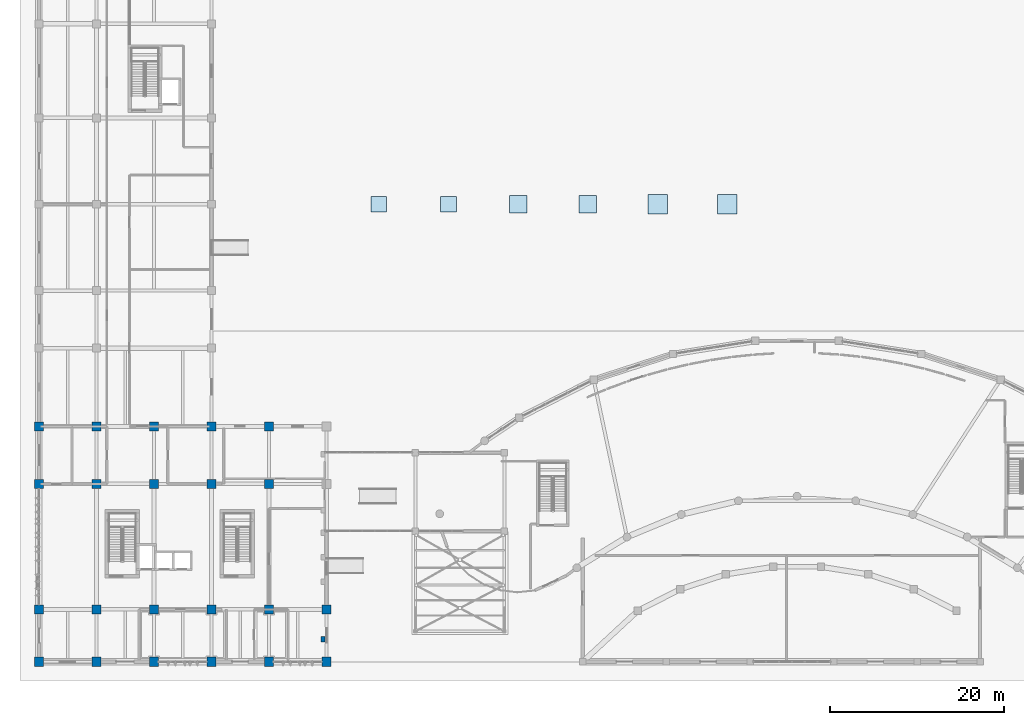
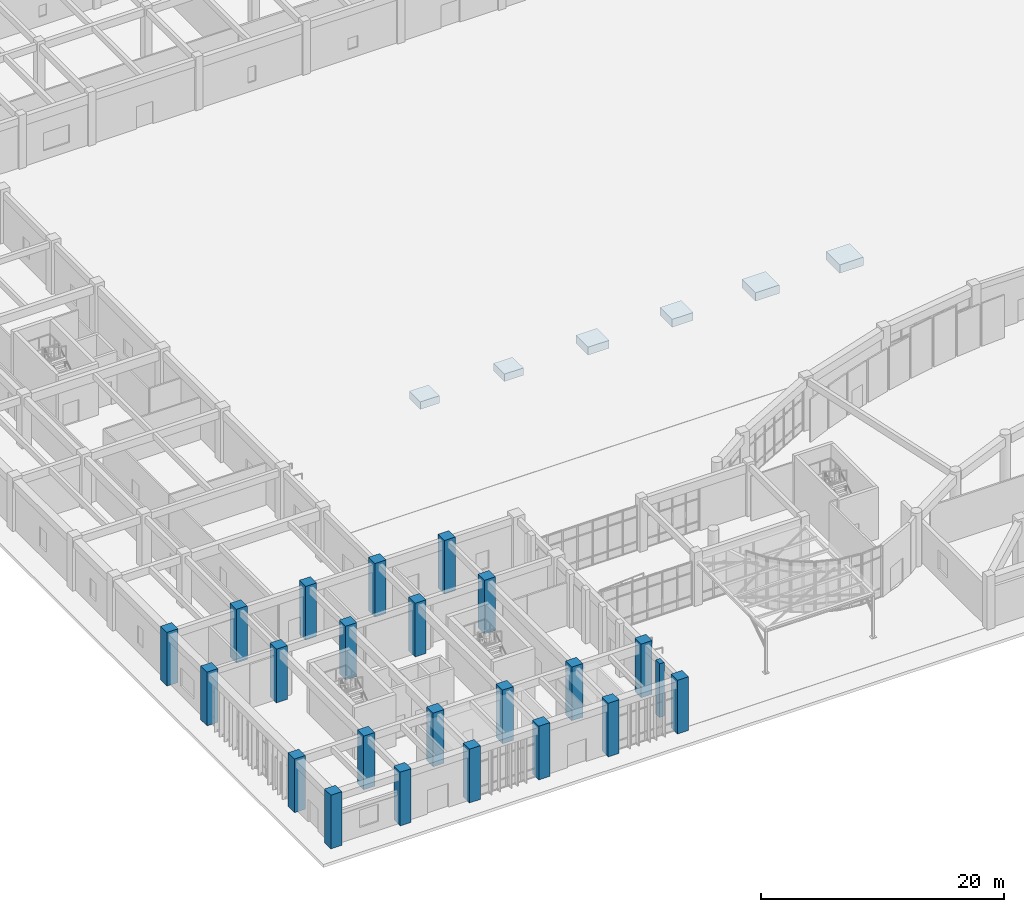
# One storey, part 1 of 70: 23 columns, 6 footings.
"""IFC4 building model written with IfcOpenShell, lengths in metres."""

from ifc_helpers import new_model, si_unit, direction, frame, origin, origin_2d, place, context, subcontext, project, spatial, rectangle, extrude, material, layer, layer_set, material_profile, profile_set, type_object, element, save


model = new_model("IFC4")

# Units and contexts
model_context = context("Model", 3, precision=1e-05, world=origin(), true_north=direction((0.0, 1.0)))
body_context = subcontext(model_context, "Body", "Model", "MODEL_VIEW")
ifc_project = project(units=[si_unit("LENGTHUNIT", "METRE"), si_unit("AREAUNIT", "SQUARE_METRE"), si_unit("VOLUMEUNIT", "CUBIC_METRE"), si_unit("PLANEANGLEUNIT", "RADIAN"), si_unit("MASSUNIT", "GRAM", prefix="KILO")], contexts=[model_context])

# Site, building, storey
site_placement = place(None, origin())
site = spatial("IfcSite", under=ifc_project, at=site_placement, CompositionType="ELEMENT")
building_placement = place(site_placement, origin())
building = spatial("IfcBuilding", under=site, at=building_placement, Name="Miralva Faculty of Natural Sciences", CompositionType="ELEMENT")
storey_placement = place(building_placement, origin())
storey = spatial("IfcBuildingStorey", under=building, at=storey_placement, Name="L00", CompositionType="ELEMENT", Elevation=0.0)

# Footings
ifc_material_1 = material(Name="Concrete C35/45", Category="concrete")
ifc_layer_1 = layer(ifc_material_1, 0.75, Name="PAD-PF01")
ifc_layer_set_1 = layer_set([ifc_layer_1], Name="Concrete C35/45")
footing_type_1 = type_object("IfcFootingType", Name="PAD-PF01", PredefinedType="PAD_FOOTING", material=ifc_layer_set_1)
for number, where, z_axis, x_axis, name in (
    (1, (42.0, 55.5, -0.919921875), (0.0, 0.0, 1.0), (1.0, 0.0, 0.0), "Courtyard pergola pad footing 1"),
    (2, (50.0, 55.5, -0.919921875), (0.0, 0.0, 1.0), (1.0, 0.0, 0.0), "Courtyard pergola pad footing 2"),
):
    element("IfcFooting", number, at=place(storey_placement, frame(where, z_axis=z_axis, x_axis=x_axis)), inside=storey, type_object=footing_type_1, Name=name, PredefinedType="PAD_FOOTING", context=body_context, shape_type="SweptSolid", body=[
        extrude(rectangle(XDim=1.800048828125, YDim=1.800048828125, at=origin_2d()), origin(), (0.0, 0.0, 1.0), 0.75),
    ])
ifc_layer_2 = layer(ifc_material_1, 0.800048828125, Name="PAD-PF02")
ifc_layer_set_2 = layer_set([ifc_layer_2], Name="Concrete C35/45")
footing_type_2 = type_object("IfcFootingType", Name="PAD-PF02", PredefinedType="PAD_FOOTING", material=ifc_layer_set_2)
for number, where, z_axis, x_axis, name in (
    (3, (58.0, 55.5, -0.97021484375), (0.0, 0.0, 1.0), (1.0, 0.0, 0.0), "Courtyard pergola pad footing 3"),
    (4, (66.0, 55.5, -0.97021484375), (0.0, 0.0, 1.0), (1.0, 0.0, 0.0), "Courtyard pergola pad footing 4"),
):
    element("IfcFooting", number, at=place(storey_placement, frame(where, z_axis=z_axis, x_axis=x_axis)), inside=storey, type_object=footing_type_2, Name=name, PredefinedType="PAD_FOOTING", context=body_context, shape_type="SweptSolid", body=[
        extrude(rectangle(XDim=2.0, YDim=2.0, at=origin_2d()), origin(), (0.0, 0.0, 1.0), 0.800048828125),
    ])
ifc_layer_3 = layer(ifc_material_1, 0.85009765625, Name="PAD-PF03")
ifc_layer_set_3 = layer_set([ifc_layer_3], Name="Concrete C35/45")
footing_type_3 = type_object("IfcFootingType", Name="PAD-PF03", PredefinedType="PAD_FOOTING", material=ifc_layer_set_3)
for number, where, z_axis, x_axis, name in (
    (5, (74.0, 55.5, -1.02001953125), (0.0, 0.0, 1.0), (1.0, 0.0, 0.0), "Courtyard pergola pad footing 5"),
    (6, (82.0, 55.5, -1.02001953125), (0.0, 0.0, 1.0), (1.0, 0.0, 0.0), "Courtyard pergola pad footing 6"),
):
    element("IfcFooting", number, at=place(storey_placement, frame(where, z_axis=z_axis, x_axis=x_axis)), inside=storey, type_object=footing_type_3, Name=name, PredefinedType="PAD_FOOTING", context=body_context, shape_type="SweptSolid", body=[
        extrude(rectangle(XDim=2.25, YDim=2.25, at=origin_2d()), origin(), (0.0, 0.0, 1.0), 0.85009765625),
    ])

# Columns
ifc_material_2 = material(Name="Concrete C50/60", Category="concrete")
ifc_material_profile_1 = material_profile(ifc_material_2, rectangle(XDim=1.050048828125, YDim=1.050048828125, at=origin_2d()), Name="RC 1050x1050")
ifc_profile_set_1 = profile_set([ifc_material_profile_1], Name="Concrete C50/60")
column_type_1 = type_object("IfcColumnType", Name="COL-C01", PredefinedType="COLUMN", material=ifc_profile_set_1)
for number, where, z_axis, x_axis, name in (
    (7, (3.0, 3.0, 0.0), (0.0, 0.0, 1.0), (1.0, 0.0, 0.0), "Column CS-V5-1A L00"),
    (8, (3.0, 9.0, 0.0), (0.0, 0.0, 1.0), (1.0, 0.0, 0.0), "Column CS-V5-1B L00"),
    (9, (3.0, 23.39990234375, 0.0), (0.0, 0.0, 1.0), (1.0, 0.0, 0.0), "Column CS-V5-1C L00"),
    (10, (3.0, 30.0, 0.0), (0.0, 0.0, 1.0), (1.0, 0.0, 0.0), "Column CS-V5-1D L00"),
    (11, (9.60009765625, 3.0, 0.0), (0.0, 0.0, 1.0), (1.0, 0.0, 0.0), "Column CS-V5-2A L00"),
    (12, (9.60009765625, 9.0, 0.0), (0.0, 0.0, 1.0), (1.0, 0.0, 0.0), "Column CS-V5-2B L00"),
    (13, (9.60009765625, 23.39990234375, 0.0), (0.0, 0.0, 1.0), (1.0, 0.0, 0.0), "Column CS-V5-2C L00"),
    (14, (9.60009765625, 30.0, 0.0), (0.0, 0.0, 1.0), (1.0, 0.0, 0.0), "Column CS-V5-2D L00"),
    (15, (16.199951171875, 3.0, 0.0), (0.0, 0.0, 1.0), (1.0, 0.0, 0.0), "Column CS-V5-3A L00"),
    (16, (16.199951171875, 9.0, 0.0), (0.0, 0.0, 1.0), (1.0, 0.0, 0.0), "Column CS-V5-3B L00"),
    (17, (16.199951171875, 23.39990234375, 0.0), (0.0, 0.0, 1.0), (1.0, 0.0, 0.0), "Column CS-V5-3C L00"),
    (18, (16.199951171875, 30.0, 0.0), (0.0, 0.0, 1.0), (1.0, 0.0, 0.0), "Column CS-V5-3D L00"),
    (19, (22.800048828125, 3.0, 0.0), (0.0, 0.0, 1.0), (1.0, 0.0, 0.0), "Column CS-V5-4A L00"),
    (20, (22.800048828125, 9.0, 0.0), (0.0, 0.0, 1.0), (1.0, 0.0, 0.0), "Column CS-V5-4B L00"),
    (21, (22.800048828125, 23.39990234375, 0.0), (0.0, 0.0, 1.0), (1.0, 0.0, 0.0), "Column CS-V5-4C L00"),
    (22, (22.800048828125, 30.0, 0.0), (0.0, 0.0, 1.0), (1.0, 0.0, 0.0), "Column CS-V5-4D L00"),
    (23, (29.39990234375, 3.0, 0.0), (0.0, 0.0, 1.0), (1.0, 0.0, 0.0), "Column CS-V5-5A L00"),
    (24, (29.39990234375, 9.0, 0.0), (0.0, 0.0, 1.0), (1.0, 0.0, 0.0), "Column CS-V5-5B L00"),
    (25, (29.39990234375, 23.39990234375, 0.0), (0.0, 0.0, 1.0), (1.0, 0.0, 0.0), "Column CS-V5-5C L00"),
    (26, (29.39990234375, 30.0, 0.0), (0.0, 0.0, 1.0), (1.0, 0.0, 0.0), "Column CS-V5-5D L00"),
    (27, (36.0, 3.0, 0.0), (0.0, 0.0, 1.0), (1.0, 0.0, 0.0), "Column CS-V5-6A L00"),
    (28, (36.0, 9.0, 0.0), (0.0, 0.0, 1.0), (1.0, 0.0, 0.0), "Column CS-V5-6B L00"),
):
    element("IfcColumn", number, at=place(storey_placement, frame(where, z_axis=z_axis, x_axis=x_axis)), inside=storey, type_object=column_type_1, Name=name, PredefinedType="COLUMN", context=body_context, shape_type="SweptSolid", body=[
        extrude(rectangle(XDim=1.050048828125, YDim=1.050048828125, at=origin_2d()), origin(), (0.0, 0.0, 1.0), 5.39990234375),
    ])
ifc_material_3 = material(Name="Concrete C40/50", Category="concrete")
ifc_material_profile_2 = material_profile(ifc_material_3, rectangle(XDim=0.449951171875, YDim=0.64990234375, at=origin_2d()), Name="RC 450x650")
ifc_profile_set_2 = profile_set([ifc_material_profile_2], Name="Concrete C40/50")
column_type_2 = type_object("IfcColumnType", Name="COL-C12", PredefinedType="PILASTER", material=ifc_profile_set_2)
column_placement = place(storey_placement, frame((35.60009765625, 5.60009765625, 0.0), z_axis=(0.0, 0.0, 1.0), x_axis=(1.0, 0.0, 0.0)))
element("IfcColumn", 29, at=column_placement, inside=storey, type_object=column_type_2, Name="Colonnade pilaster 1 L00", PredefinedType="PILASTER", context=body_context, shape_type="SweptSolid", body=[
    extrude(rectangle(XDim=0.449951171875, YDim=0.64990234375, at=origin_2d()), origin(), (0.0, 0.0, 1.0), 5.39990234375),
])

save(model, "model.ifc")
